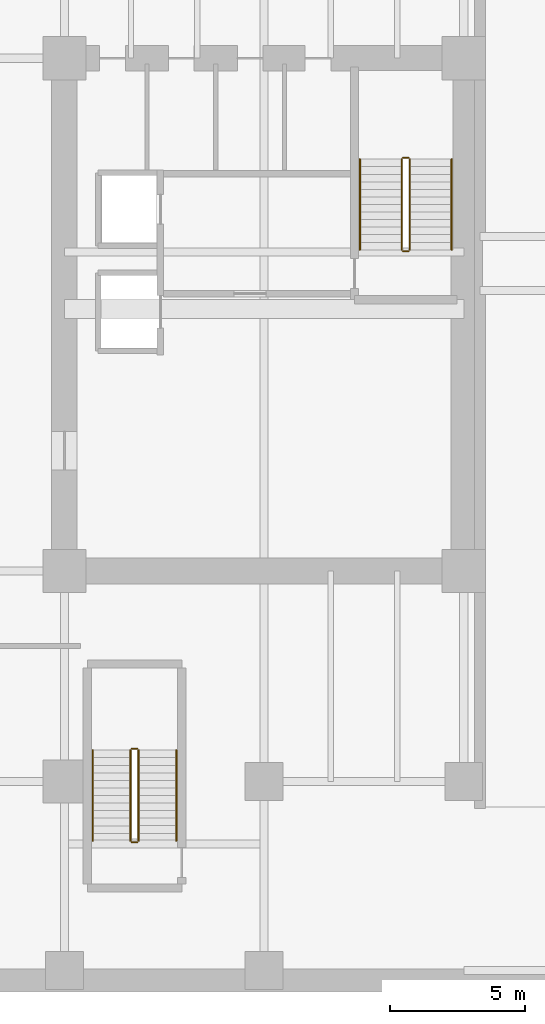
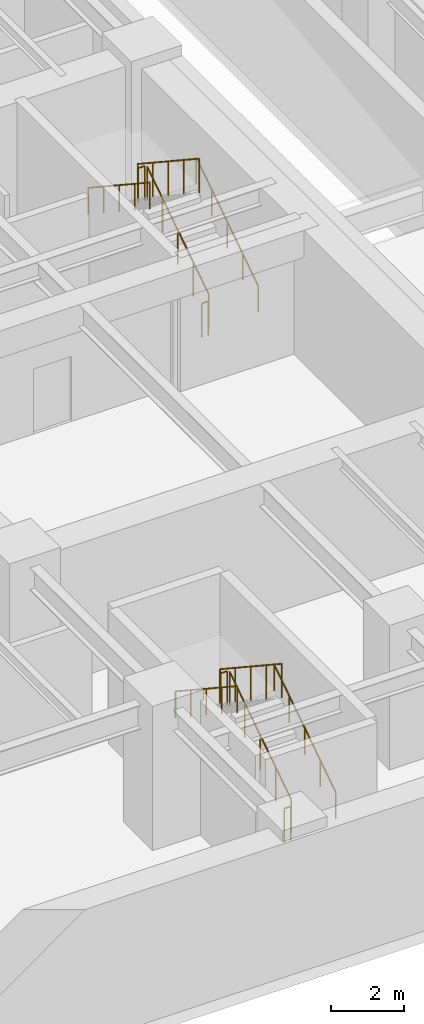
# One storey, part 7 of 7: 12 railings.
"""IFC4 building model written with IfcOpenShell, lengths in metres."""

from ifc_helpers import new_model, si_unit, direction, frame, origin, origin_2d, place, context, subcontext, project, spatial, circle, extrude, source, transform, mapped, material, type_object, type_shapes, element, save


model = new_model("IFC4")

# Units and contexts
model_context = context("Model", 3, precision=1e-05, world=origin(), true_north=direction((0.0, 1.0)))
body_context = subcontext(model_context, "Body", "Model", "MODEL_VIEW")
ifc_project = project(units=[si_unit("LENGTHUNIT", "METRE"), si_unit("AREAUNIT", "SQUARE_METRE"), si_unit("VOLUMEUNIT", "CUBIC_METRE"), si_unit("PLANEANGLEUNIT", "RADIAN"), si_unit("MASSUNIT", "GRAM", prefix="KILO")], contexts=[model_context])

# Site, building, storey
site_placement = place(None, origin())
site = spatial("IfcSite", under=ifc_project, at=site_placement, CompositionType="ELEMENT")
building_placement = place(site_placement, origin())
building = spatial("IfcBuilding", under=site, at=building_placement, Name="Haelvirn Gate Laboratories", CompositionType="ELEMENT")
storey_placement = place(building_placement, frame((0.0, 0.0, -4.800048828125)))
storey = spatial("IfcBuildingStorey", under=building, at=storey_placement, Name="B1", CompositionType="ELEMENT", Elevation=-4.800048828125)

# Railings
ifc_material_1 = material(Name="Galvanised steel SM355 & stainless top rail", Category="steel")
railing_type_1 = type_object("IfcRailingType", Name="RL-GUARD-1150", PredefinedType="GUARDRAIL", material=ifc_material_1)
shared_shape_1 = source(origin(), body_context, "Body", "SweptSolid", [
    extrude(circle(Radius=0.02392578125, at=origin_2d()), frame((0.0, 0.0, 1.1259765625), z_axis=(-1.0, 0.0, 0.0), x_axis=(0.0, -1.0, 0.0)), (0.0, 0.0, 1.0), 0.199951171875),
    extrude(circle(Radius=0.02099609375, at=origin_2d()), origin(), (0.0, 0.0, 1.0), 1.101806640625),
    extrude(circle(Radius=0.02099609375, at=origin_2d()), frame((-0.199951171875, 0.0, 0.0)), (0.0, 0.0, 1.0), 1.101806640625),
])
for number, where, name in (
    (1, (55.300048828125, 8.2099609375, 2.400146484375), "B1 ST4 stair guard 2"),
    (2, (55.300048828125, 4.75, 0.0), "B1 ST4 stair guard 4"),
):
    element("IfcRailing", number, at=place(storey_placement, frame(where)), inside=storey, type_object=railing_type_1, Name=name, PredefinedType="GUARDRAIL", context=body_context, shape_type="MappedRepresentation", body=[
        mapped(shared_shape_1, transform((0.0, 0.0, 0.0), scale=1.0)),
    ])
shared_shape_2 = source(origin(), body_context, "Body", "SweptSolid", [
    extrude(circle(Radius=0.02392578125, at=origin_2d()), frame((0.0, 0.0, 1.1259765625), z_axis=(0.0, -0.834876476806, 0.550437342915), x_axis=(1.0, 0.0, 0.0)), (0.0, 0.0, 1.0), 4.024658203125),
    extrude(circle(Radius=0.02099609375, at=origin_2d()), origin(), (0.0, 0.0, 1.0), 1.101806640625),
    extrude(circle(Radius=0.02099609375, at=origin_2d()), frame((0.0, -0.840087890625, 0.5537109375)), (0.0, 0.0, 1.0), 1.101806640625),
    extrude(circle(Radius=0.02099609375, at=origin_2d()), frame((0.0, -1.68017578125, 1.107666015625)), (0.0, 0.0, 1.0), 1.101806640625),
    extrude(circle(Radius=0.02099609375, at=origin_2d()), frame((0.0, -2.52001953125, 1.66162109375)), (0.0, 0.0, 1.0), 1.101806640625),
    extrude(circle(Radius=0.02099609375, at=origin_2d()), frame((0.0, -3.360107421875, 2.21533203125)), (0.0, 0.0, 1.0), 1.101806640625),
])
railing_1_placement = place(storey_placement, frame((65.10009765625, 30.06005859375, 2.584716796875)))
element("IfcRailing", 3, at=railing_1_placement, inside=storey, type_object=railing_type_1, Name="B1 ST2 stair guard 3", PredefinedType="GUARDRAIL", context=body_context, shape_type="MappedRepresentation", body=[
    mapped(shared_shape_2, transform((0.0, 0.0, 0.0), scale=1.0)),
])
ifc_material_2 = material(Name="Brushed stainless steel 316L", Category="steel")
railing_type_2 = type_object("IfcRailingType", Name="RL-HAND-920", PredefinedType="HANDRAIL", material=ifc_material_2)
shared_shape_3 = source(origin(), body_context, "Body", "SweptSolid", [
    extrude(circle(Radius=0.02392578125, at=origin_2d()), frame((0.0, 0.0, 0.8759765625), z_axis=(0.0, -0.834876476806, 0.550437342915), x_axis=(1.0, 0.0, 0.0)), (0.0, 0.0, 1.0), 4.024658203125),
    extrude(circle(Radius=0.02099609375, at=origin_2d()), origin(), (0.0, 0.0, 1.0), 0.851806640625),
    extrude(circle(Radius=0.02099609375, at=origin_2d()), frame((0.0, -0.840087890625, 0.5537109375)), (0.0, 0.0, 1.0), 0.851806640625),
    extrude(circle(Radius=0.02099609375, at=origin_2d()), frame((0.0, -1.68017578125, 1.107666015625)), (0.0, 0.0, 1.0), 0.851806640625),
    extrude(circle(Radius=0.02099609375, at=origin_2d()), frame((0.0, -2.52001953125, 1.66162109375)), (0.0, 0.0, 1.0), 0.851806640625),
    extrude(circle(Radius=0.02099609375, at=origin_2d()), frame((0.0, -3.360107421875, 2.21533203125)), (0.0, 0.0, 1.0), 0.851806640625),
])
railing_2_placement = place(storey_placement, frame((63.550048828125, 30.06005859375, 2.584716796875)))
element("IfcRailing", 4, at=railing_2_placement, inside=storey, type_object=railing_type_2, Name="B1 ST2 stair handrail 2", PredefinedType="HANDRAIL", context=body_context, shape_type="MappedRepresentation", body=[
    mapped(shared_shape_3, transform((0.0, 0.0, 0.0), scale=1.0)),
])
shared_shape_4 = source(origin(), body_context, "Body", "SweptSolid", [
    extrude(circle(Radius=0.02392578125, at=origin_2d()), frame((0.0, 0.0, 1.1259765625), z_axis=(0.0, 0.834848600103, 0.550479622607), x_axis=(-1.0, 0.0, 0.0)), (0.0, 0.0, 1.0), 4.02490234375),
    extrude(circle(Radius=0.02099609375, at=origin_2d()), origin(), (0.0, 0.0, 1.0), 1.101806640625),
    extrude(circle(Radius=0.02099609375, at=origin_2d()), frame((0.0, 0.840087890625, 0.553955078125)), (0.0, 0.0, 1.0), 1.101806640625),
    extrude(circle(Radius=0.02099609375, at=origin_2d()), frame((0.0, 1.68017578125, 1.10791015625)), (0.0, 0.0, 1.0), 1.101806640625),
    extrude(circle(Radius=0.02099609375, at=origin_2d()), frame((0.0, 2.52001953125, 1.66162109375)), (0.0, 0.0, 1.0), 1.101806640625),
    extrude(circle(Radius=0.02099609375, at=origin_2d()), frame((0.0, 3.360107421875, 2.215576171875)), (0.0, 0.0, 1.0), 1.101806640625),
])
railing_3_placement = place(storey_placement, frame((65.39990234375, 26.699951171875, 0.1845703125)))
element("IfcRailing", 5, at=railing_3_placement, inside=storey, type_object=railing_type_1, Name="B1 ST2 stair guard 1", PredefinedType="GUARDRAIL", context=body_context, shape_type="MappedRepresentation", body=[
    mapped(shared_shape_4, transform((0.0, 0.0, 0.0), scale=1.0)),
])
shared_shape_5 = source(origin(), body_context, "Body", "SweptSolid", [
    extrude(circle(Radius=0.02392578125, at=origin_2d()), frame((0.0, 0.0, 0.8759765625), z_axis=(0.0, 0.834848600103, 0.550479622607), x_axis=(-1.0, 0.0, 0.0)), (0.0, 0.0, 1.0), 4.02490234375),
    extrude(circle(Radius=0.02099609375, at=origin_2d()), origin(), (0.0, 0.0, 1.0), 0.851806640625),
    extrude(circle(Radius=0.02099609375, at=origin_2d()), frame((0.0, 0.840087890625, 0.553955078125)), (0.0, 0.0, 1.0), 0.851806640625),
    extrude(circle(Radius=0.02099609375, at=origin_2d()), frame((0.0, 1.68017578125, 1.10791015625)), (0.0, 0.0, 1.0), 0.851806640625),
    extrude(circle(Radius=0.02099609375, at=origin_2d()), frame((0.0, 2.52001953125, 1.66162109375)), (0.0, 0.0, 1.0), 0.851806640625),
    extrude(circle(Radius=0.02099609375, at=origin_2d()), frame((0.0, 3.360107421875, 2.215576171875)), (0.0, 0.0, 1.0), 0.851806640625),
])
railing_4_placement = place(storey_placement, frame((66.949951171875, 26.699951171875, 0.1845703125)))
element("IfcRailing", 6, at=railing_4_placement, inside=storey, type_object=railing_type_2, Name="B1 ST2 stair handrail 1", PredefinedType="HANDRAIL", context=body_context, shape_type="MappedRepresentation", body=[
    mapped(shared_shape_5, transform((0.0, 0.0, 0.0), scale=1.0)),
])
shared_shape_6 = source(origin(), body_context, "Body", "SweptSolid", [
    extrude(circle(Radius=0.02392578125, at=origin_2d()), frame((0.0, 0.0, 1.1259765625), z_axis=(-1.0, 0.0, 0.0), x_axis=(0.0, -1.0, 0.0)), (0.0, 0.0, 1.0), 0.2001953125),
    extrude(circle(Radius=0.02099609375, at=origin_2d()), origin(), (0.0, 0.0, 1.0), 1.101806640625),
    extrude(circle(Radius=0.02099609375, at=origin_2d()), frame((-0.2001953125, 0.0, 0.0)), (0.0, 0.0, 1.0), 1.101806640625),
])
for number, where, name in (
    (7, (65.35009765625, 30.110107421875, 2.400146484375), "B1 ST2 stair guard 2"),
    (8, (65.35009765625, 26.64990234375, 0.0), "B1 ST2 stair guard 4"),
):
    element("IfcRailing", number, at=place(storey_placement, frame(where)), inside=storey, type_object=railing_type_1, Name=name, PredefinedType="GUARDRAIL", context=body_context, shape_type="MappedRepresentation", body=[
        mapped(shared_shape_6, transform((0.0, 0.0, 0.0), scale=1.0)),
    ])
shared_shape_7 = source(origin(), body_context, "Body", "SweptSolid", [
    extrude(circle(Radius=0.02392578125, at=origin_2d()), frame((0.0, 0.0, 1.1259765625), z_axis=(0.0, -0.834858096282, 0.550465220583), x_axis=(1.0, 0.0, 0.0)), (0.0, 0.0, 1.0), 4.0244140625),
    extrude(circle(Radius=0.02099609375, at=origin_2d()), origin(), (0.0, 0.0, 1.0), 1.101806640625),
    extrude(circle(Radius=0.02099609375, at=origin_2d()), frame((0.0, -0.83984375, 0.5537109375)), (0.0, 0.0, 1.0), 1.101806640625),
    extrude(circle(Radius=0.02099609375, at=origin_2d()), frame((0.0, -1.679931640625, 1.107666015625)), (0.0, 0.0, 1.0), 1.101806640625),
    extrude(circle(Radius=0.02099609375, at=origin_2d()), frame((0.0, -2.52001953125, 1.66162109375)), (0.0, 0.0, 1.0), 1.101806640625),
    extrude(circle(Radius=0.02099609375, at=origin_2d()), frame((0.0, -3.35986328125, 2.21533203125)), (0.0, 0.0, 1.0), 1.101806640625),
])
railing_5_placement = place(storey_placement, frame((55.050048828125, 8.159912109375, 2.584716796875)))
element("IfcRailing", 9, at=railing_5_placement, inside=storey, type_object=railing_type_1, Name="B1 ST4 stair guard 3", PredefinedType="GUARDRAIL", context=body_context, shape_type="MappedRepresentation", body=[
    mapped(shared_shape_7, transform((0.0, 0.0, 0.0), scale=1.0)),
])
shared_shape_8 = source(origin(), body_context, "Body", "SweptSolid", [
    extrude(circle(Radius=0.02392578125, at=origin_2d()), frame((0.0, 0.0, 0.8759765625), z_axis=(0.0, -0.834858096282, 0.550465220583), x_axis=(1.0, 0.0, 0.0)), (0.0, 0.0, 1.0), 4.0244140625),
    extrude(circle(Radius=0.02099609375, at=origin_2d()), origin(), (0.0, 0.0, 1.0), 0.851806640625),
    extrude(circle(Radius=0.02099609375, at=origin_2d()), frame((0.0, -0.83984375, 0.5537109375)), (0.0, 0.0, 1.0), 0.851806640625),
    extrude(circle(Radius=0.02099609375, at=origin_2d()), frame((0.0, -1.679931640625, 1.107666015625)), (0.0, 0.0, 1.0), 0.851806640625),
    extrude(circle(Radius=0.02099609375, at=origin_2d()), frame((0.0, -2.52001953125, 1.66162109375)), (0.0, 0.0, 1.0), 0.851806640625),
    extrude(circle(Radius=0.02099609375, at=origin_2d()), frame((0.0, -3.35986328125, 2.21533203125)), (0.0, 0.0, 1.0), 0.851806640625),
])
railing_6_placement = place(storey_placement, frame((53.64990234375, 8.159912109375, 2.584716796875)))
element("IfcRailing", 10, at=railing_6_placement, inside=storey, type_object=railing_type_2, Name="B1 ST4 stair handrail 2", PredefinedType="HANDRAIL", context=body_context, shape_type="MappedRepresentation", body=[
    mapped(shared_shape_8, transform((0.0, 0.0, 0.0), scale=1.0)),
])
shared_shape_9 = source(origin(), body_context, "Body", "SweptSolid", [
    extrude(circle(Radius=0.02392578125, at=origin_2d()), frame((0.0, 0.0, 1.1259765625), z_axis=(0.0, 0.83483021737, 0.550507500554), x_axis=(-1.0, 0.0, 0.0)), (0.0, 0.0, 1.0), 4.024658203125),
    extrude(circle(Radius=0.02099609375, at=origin_2d()), origin(), (0.0, 0.0, 1.0), 1.101806640625),
    extrude(circle(Radius=0.02099609375, at=origin_2d()), frame((0.0, 0.83984375, 0.553955078125)), (0.0, 0.0, 1.0), 1.101806640625),
    extrude(circle(Radius=0.02099609375, at=origin_2d()), frame((0.0, 1.679931640625, 1.10791015625)), (0.0, 0.0, 1.0), 1.101806640625),
    extrude(circle(Radius=0.02099609375, at=origin_2d()), frame((0.0, 2.52001953125, 1.66162109375)), (0.0, 0.0, 1.0), 1.101806640625),
    extrude(circle(Radius=0.02099609375, at=origin_2d()), frame((0.0, 3.35986328125, 2.215576171875)), (0.0, 0.0, 1.0), 1.101806640625),
])
type_shapes(railing_type_1, [shared_shape_1, shared_shape_2, shared_shape_4, shared_shape_6, shared_shape_7, shared_shape_9])
railing_7_placement = place(storey_placement, frame((55.35009765625, 4.800048828125, 0.1845703125)))
element("IfcRailing", 11, at=railing_7_placement, inside=storey, type_object=railing_type_1, Name="B1 ST4 stair guard 1", PredefinedType="GUARDRAIL", context=body_context, shape_type="MappedRepresentation", body=[
    mapped(shared_shape_9, transform((0.0, 0.0, 0.0), scale=1.0)),
])
shared_shape_10 = source(origin(), body_context, "Body", "SweptSolid", [
    extrude(circle(Radius=0.02392578125, at=origin_2d()), frame((0.0, 0.0, 0.8759765625), z_axis=(0.0, 0.83483021737, 0.550507500554), x_axis=(-1.0, 0.0, 0.0)), (0.0, 0.0, 1.0), 4.024658203125),
    extrude(circle(Radius=0.02099609375, at=origin_2d()), origin(), (0.0, 0.0, 1.0), 0.851806640625),
    extrude(circle(Radius=0.02099609375, at=origin_2d()), frame((0.0, 0.83984375, 0.553955078125)), (0.0, 0.0, 1.0), 0.851806640625),
    extrude(circle(Radius=0.02099609375, at=origin_2d()), frame((0.0, 1.679931640625, 1.10791015625)), (0.0, 0.0, 1.0), 0.851806640625),
    extrude(circle(Radius=0.02099609375, at=origin_2d()), frame((0.0, 2.52001953125, 1.66162109375)), (0.0, 0.0, 1.0), 0.851806640625),
    extrude(circle(Radius=0.02099609375, at=origin_2d()), frame((0.0, 3.35986328125, 2.215576171875)), (0.0, 0.0, 1.0), 0.851806640625),
])
type_shapes(railing_type_2, [shared_shape_3, shared_shape_5, shared_shape_8, shared_shape_10])
railing_8_placement = place(storey_placement, frame((56.75, 4.800048828125, 0.1845703125)))
element("IfcRailing", 12, at=railing_8_placement, inside=storey, type_object=railing_type_2, Name="B1 ST4 stair handrail 1", PredefinedType="HANDRAIL", context=body_context, shape_type="MappedRepresentation", body=[
    mapped(shared_shape_10, transform((0.0, 0.0, 0.0), scale=1.0)),
])

save(model, "model.ifc")
